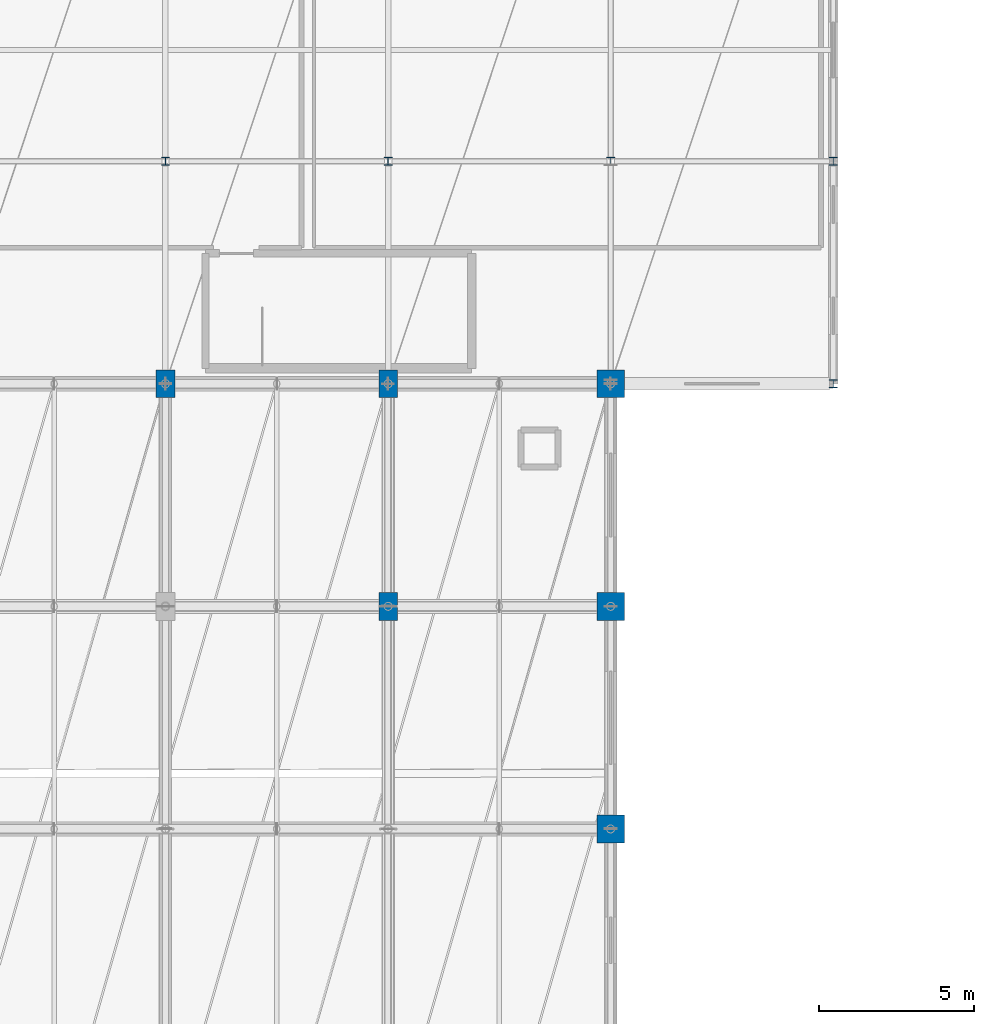
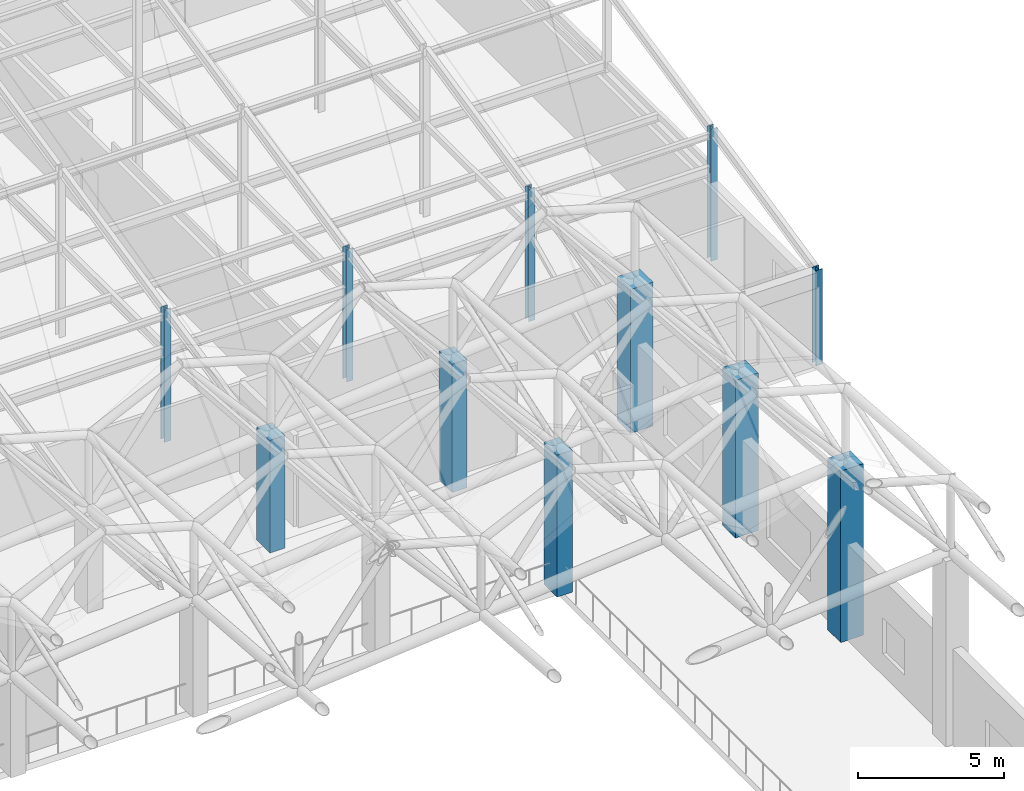
# One storey, part 3 of 113: 11 columns.
"""IFC4 building model written with IfcOpenShell, lengths in metres."""

import ifcopenshell
import ifcopenshell.guid

model = None  # the IFC model being written
_history = None  # IfcOwnerHistory: only IFC2X3 demands one
_inside = {}  # id of a spatial element -> (the spatial element, [elements in it])
_under = {}  # id of a project, library or spatial element -> (it, [spatial elements below it])
_declared = {}  # id of a project -> (the project, [libraries it declares])
_typed = {}  # id of a type object -> (the type object, [elements of that type])
_made_of = {}  # id of a material, layer set ... -> (it, [elements and type objects made of it])


def new_model(schema):
    """Start an empty IFC model of exactly this schema.

    Asked for "IFC4X3", IfcOpenShell would pick the latest addendum, in which some entities
    have other attributes; the version numbers below select the first issue.
    IFC2X3 requires an IfcOwnerHistory on every rooted entity: one is made here for all.
    """
    global model, _history
    if schema == "IFC4X3":
        model = ifcopenshell.file(schema_version=(4, 3, 0, 0))
    else:
        model = ifcopenshell.file(schema=schema)
    _inside.clear()
    _under.clear()
    _declared.clear()
    _typed.clear()
    _made_of.clear()
    _history = None
    if model.schema == "IFC2X3":
        org = make("IfcOrganization", Name="unknown")
        user = make(
            "IfcPersonAndOrganization",
            ThePerson=make("IfcPerson", FamilyName="unknown"),
            TheOrganization=org,
        )
        app = make(
            "IfcApplication",
            ApplicationDeveloper=org,
            Version="unknown",
            ApplicationFullName="unknown",
            ApplicationIdentifier="unknown",
        )
        _history = make(
            "IfcOwnerHistory",
            OwningUser=user,
            OwningApplication=app,
            ChangeAction="ADDED",
            CreationDate=0,
        )
    return model


def make(cls, **values):
    """One entity of the class cls with the attributes given. An attribute that is None is left unset."""
    return model.create_entity(
        cls, **{name: value for name, value in values.items() if value is not None}
    )


def rooted(cls, **values):
    """An entity with a GlobalId (a new one), such as an element, a storey or a relation."""
    return make(cls, GlobalId=ifcopenshell.guid.new(), OwnerHistory=_history, **values)


def si_unit(unit_type, name, prefix=None):
    """IfcSIUnit, for example si_unit("LENGTHUNIT", "METRE", prefix="MILLI")."""
    return make("IfcSIUnit", UnitType=unit_type, Prefix=prefix, Name=name)


def assignment(units):
    """IfcUnitAssignment: the units of a project."""
    return None if units is None else make("IfcUnitAssignment", Units=units)


def point(xyz):
    """IfcCartesianPoint."""
    return None if xyz is None else make("IfcCartesianPoint", Coordinates=xyz)


def direction(xyz):
    """IfcDirection."""
    return None if xyz is None else make("IfcDirection", DirectionRatios=xyz)


def frame(location, z_axis=None, x_axis=None):
    """IfcAxis2Placement3D, a coordinate frame: its origin and axes. An axis left out is left unset."""
    return make(
        "IfcAxis2Placement3D",
        Location=point(location),
        Axis=direction(z_axis),
        RefDirection=direction(x_axis),
    )


def frame_2d(location, x_axis=None):
    """IfcAxis2Placement2D, a coordinate frame in the plane: its origin and x axis."""
    return make(
        "IfcAxis2Placement2D", Location=point(location), RefDirection=direction(x_axis)
    )


def origin():
    """The frame at (0, 0, 0) with its axes left unset."""
    return frame((0.0, 0.0, 0.0))


def origin_2d():
    """The frame at (0, 0) in the plane with its x axis left unset."""
    return frame_2d((0.0, 0.0))


def place(relative_to, where):
    """IfcLocalPlacement: puts the frame where relative to a parent placement (None: the world)."""
    return make(
        "IfcLocalPlacement", PlacementRelTo=relative_to, RelativePlacement=where
    )


def context(
    kind, dimensions, precision=None, world=None, true_north=None, identifier=None
):
    """IfcGeometricRepresentationContext, for example the 3D "Model" context."""
    return make(
        "IfcGeometricRepresentationContext",
        ContextIdentifier=identifier,
        ContextType=kind,
        CoordinateSpaceDimension=dimensions,
        Precision=precision,
        WorldCoordinateSystem=world,
        TrueNorth=true_north,
    )


def subcontext(parent, identifier, kind, view, scale=None):
    """IfcGeometricRepresentationSubContext, for example "Body" below "Model"."""
    return make(
        "IfcGeometricRepresentationSubContext",
        ContextIdentifier=identifier,
        ContextType=kind,
        ParentContext=parent,
        TargetScale=scale,
        TargetView=view,
    )


def project(units=None, contexts=None):
    """IfcProject with its units and contexts."""
    return rooted(
        "IfcProject",
        Name="project",
        RepresentationContexts=contexts,
        UnitsInContext=assignment(units),
    )


def spatial(cls, under=None, at=None, **own):
    """A site, building, storey or space (cls), placed at a placement, below another one or the project."""
    s = rooted(cls, ObjectPlacement=at, **own)
    if under is not None:
        _under.setdefault(under.id(), (under, []))[1].append(s)
    return s


def profile(cls, at=None, kind="AREA", **sizes):
    """A parametric profile (cls). Its sizes go by their IFC names, for example OverallWidth=200.0."""
    return make(cls, ProfileType=kind, Position=at, **sizes)


def rectangle(**sizes):
    """IfcRectangleProfileDef."""
    return profile("IfcRectangleProfileDef", **sizes)


def i_section(**sizes):
    """IfcIShapeProfileDef."""
    return profile("IfcIShapeProfileDef", **sizes)


def extrude(swept, where, along, depth):
    """IfcExtrudedAreaSolid: the profile swept, set in the frame where, extruded along a direction by depth."""
    return make(
        "IfcExtrudedAreaSolid",
        SweptArea=swept,
        Position=where,
        ExtrudedDirection=direction(along),
        Depth=depth,
    )


def shape(context_of_items, identifier, shape_type, items):
    """IfcShapeRepresentation: the items that make up one representation, for example the "Body"."""
    return make(
        "IfcShapeRepresentation",
        ContextOfItems=context_of_items,
        RepresentationIdentifier=identifier,
        RepresentationType=shape_type,
        Items=items,
    )


def material(Name=None, Category=None):
    """IfcMaterial."""
    return make("IfcMaterial", Name=Name, Category=Category)


def material_profile(
    of_material, cross_section, Name=None, Category=None, Priority=None
):
    """IfcMaterialProfile: a cross section and its material."""
    return make(
        "IfcMaterialProfile",
        Name=Name,
        Material=of_material,
        Profile=cross_section,
        Priority=Priority,
        Category=Category,
    )


def profile_set(profiles, Name=None, composite=None):
    """IfcMaterialProfileSet."""
    return make(
        "IfcMaterialProfileSet",
        Name=Name,
        MaterialProfiles=profiles,
        CompositeProfile=composite,
    )


def made_of(thing, what):
    """Note that an element or type object is made of a material, layer set ...; save() writes the relation."""
    if what is not None:
        _made_of.setdefault(what.id(), (what, []))[1].append(thing)
    return thing


def type_object(cls, material=None, **own):
    """A type object (cls), such as IfcWallType, which elements share."""
    return made_of(rooted(cls, **own), material)


def element(
    cls,
    number,
    at=None,
    inside=None,
    cuts=None,
    type_object=None,
    material=None,
    context=None,
    identifier="Body",
    shape_type=None,
    held_by="IfcProductDefinitionShape",
    body=None,
    shapes=None,
    **own,
):
    """One element of the class cls, such as IfcWall. Its Tag is "e" and its number.

    at: its placement. inside: the storey or other place that contains it. cuts: it is an
    opening in that element (IfcRelVoidsElement). A single representation is given by context,
    identifier, shape_type and body (its items); several are given by shapes. held_by: the class
    of the entity that holds the representations. save() writes the other relations.
    """
    e = rooted(cls, Tag="e%d" % number, ObjectPlacement=at, **own)
    if body is not None:
        shapes = [shape(context, identifier, shape_type, body)]
    if shapes is not None:
        e.Representation = make(held_by, Representations=shapes)
    if inside is not None:
        _inside.setdefault(inside.id(), (inside, []))[1].append(e)
    if cuts is not None:
        rooted(
            "IfcRelVoidsElement", RelatingBuildingElement=cuts, RelatedOpeningElement=e
        )
    if type_object is not None:
        _typed.setdefault(type_object.id(), (type_object, []))[1].append(e)
    return made_of(e, material)


def aggregate(whole, parts):
    """IfcRelAggregates: a whole, such as a stair, and the parts it consists of."""
    return rooted("IfcRelAggregates", RelatingObject=whole, RelatedObjects=parts)


def save(model, path):
    """Write the relations noted so far, then the file.

    IfcRelAggregates (storeys below a building ...), IfcRelContainedInSpatialStructure (elements
    in a storey), IfcRelDefinesByType, IfcRelAssociatesMaterial and IfcRelDeclares: one each for
    every whole, place, type object, material and project.
    """
    for whole, parts in _under.values():
        aggregate(whole, parts)
    for where, things in _inside.values():
        rooted(
            "IfcRelContainedInSpatialStructure",
            RelatedElements=things,
            RelatingStructure=where,
        )
    for kind, things in _typed.values():
        rooted("IfcRelDefinesByType", RelatedObjects=things, RelatingType=kind)
    for what, things in _made_of.values():
        rooted("IfcRelAssociatesMaterial", RelatedObjects=things, RelatingMaterial=what)
    for by, libraries in _declared.values():
        rooted("IfcRelDeclares", RelatingContext=by, RelatedDefinitions=libraries)
    model.write(path)


model = new_model("IFC4")

# Units and contexts
model_context = context("Model", 3, precision=1e-05, world=origin(), true_north=direction((0.0, 1.0)))
body_context = subcontext(model_context, "Body", "Model", "MODEL_VIEW")
ifc_project = project(units=[si_unit("LENGTHUNIT", "METRE"), si_unit("AREAUNIT", "SQUARE_METRE"), si_unit("VOLUMEUNIT", "CUBIC_METRE"), si_unit("PLANEANGLEUNIT", "RADIAN"), si_unit("MASSUNIT", "GRAM", prefix="KILO")], contexts=[model_context])

# Site, building, storey
site_placement = place(None, origin())
site = spatial("IfcSite", under=ifc_project, at=site_placement, CompositionType="ELEMENT")
building_placement = place(site_placement, origin())
building = spatial("IfcBuilding", under=site, at=building_placement, Name="Carrowvane Square Congress Hotel", CompositionType="ELEMENT")
storey_placement = place(building_placement, frame((0.0, 0.0, 15.0)))
storey = spatial("IfcBuildingStorey", under=building, at=storey_placement, Name="L03", CompositionType="ELEMENT", Elevation=15.0)

# Columns
ifc_material_1 = material(Name="Concrete C40/50", Category="concrete")
ifc_material_profile_1 = material_profile(ifc_material_1, rectangle(XDim=0.60009765625, YDim=0.89990234375, at=origin_2d()), Name="RC 600x900")
ifc_profile_set_1 = profile_set([ifc_material_profile_1], Name="Concrete C40/50")
column_type_1 = type_object("IfcColumnType", Name="COL-RC-600x900", PredefinedType="COLUMN", material=ifc_profile_set_1)
column_1_placement = place(storey_placement, frame((47.60009765625, 55.800048828125, 0.0), z_axis=(0.0, 0.0, 1.0), x_axis=(1.0, 0.0, 0.0)))
element("IfcColumn", 1, at=column_1_placement, inside=storey, type_object=column_type_1, Name="L03 column 6/H", PredefinedType="COLUMN", context=body_context, shape_type="SweptSolid", body=[
    extrude(rectangle(XDim=0.60009765625, YDim=0.89990234375, at=origin_2d()), origin(), (0.0, 0.0, 1.0), 4.705810546875),
])
column_2_placement = place(storey_placement, frame((54.800048828125, 48.60009765625, 0.0), z_axis=(0.0, 0.0, 1.0), x_axis=(1.0, 0.0, 0.0)))
element("IfcColumn", 2, at=column_2_placement, inside=storey, type_object=column_type_1, Name="L03 column 7/G", PredefinedType="COLUMN", context=body_context, shape_type="SweptSolid", body=[
    extrude(rectangle(XDim=0.60009765625, YDim=0.89990234375, at=origin_2d()), origin(), (0.0, 0.0, 1.0), 5.934326171875),
])
column_3_placement = place(storey_placement, frame((54.800048828125, 55.800048828125, 0.0), z_axis=(0.0, 0.0, 1.0), x_axis=(1.0, 0.0, 0.0)))
element("IfcColumn", 3, at=column_3_placement, inside=storey, type_object=column_type_1, Name="L03 column 7/H", PredefinedType="COLUMN", context=body_context, shape_type="SweptSolid", body=[
    extrude(rectangle(XDim=0.60009765625, YDim=0.89990234375, at=origin_2d()), origin(), (0.0, 0.0, 1.0), 5.36279296875),
])
ifc_material_2 = material(Name="Steel S355", Category="steel")
ifc_material_profile_2 = material_profile(ifc_material_2, i_section(OverallWidth=0.25634765625, OverallDepth=0.26025390625, WebThickness=0.01025390625, FlangeThickness=0.017333984375, FilletRadius=0.0126953125, at=origin_2d()), Name="UKC 254x254x89")
ifc_profile_set_2 = profile_set([ifc_material_profile_2], Name="Steel S355")
column_type_2 = type_object("IfcColumnType", Name="COL-ST-UKC254", PredefinedType="COLUMN", material=ifc_profile_set_2)
for number, where, z_axis, x_axis, name in (
    (4, (47.60009765625, 63.0, 0.0), (0.0, 0.0, 1.0), (1.0, 0.0, 0.0), "L03 column 6/J"),
    (5, (54.800048828125, 63.0, 0.0), (0.0, 0.0, 1.0), (1.0, 0.0, 0.0), "L03 column 7/J"),
    (6, (62.0, 63.0, 0.0), (0.0, 0.0, 1.0), (1.0, 0.0, 0.0), "L03 column 8/J"),
):
    element("IfcColumn", number, at=place(storey_placement, frame(where, z_axis=z_axis, x_axis=x_axis)), inside=storey, type_object=column_type_2, Name=name, PredefinedType="COLUMN", context=body_context, shape_type="SweptSolid", body=[
        extrude(i_section(OverallWidth=0.25634765625, OverallDepth=0.26025390625, WebThickness=0.01025390625, FlangeThickness=0.017333984375, FilletRadius=0.0126953125, at=origin_2d()), origin(), (0.0, 0.0, 1.0), 5.510498046875),
    ])
column_4_placement = place(storey_placement, frame((69.199951171875, 55.800048828125, 0.0), z_axis=(0.0, 0.0, 1.0), x_axis=(1.0, 0.0, 0.0)))
element("IfcColumn", 7, at=column_4_placement, inside=storey, type_object=column_type_2, Name="L03 column 9/H", PredefinedType="COLUMN", context=body_context, shape_type="SweptSolid", body=[
    extrude(i_section(OverallWidth=0.25634765625, OverallDepth=0.26025390625, WebThickness=0.01025390625, FlangeThickness=0.017333984375, FilletRadius=0.0126953125, at=origin_2d()), origin(), (0.0, 0.0, 1.0), 3.97998046875),
])
column_5_placement = place(storey_placement, frame((69.199951171875, 63.0, 0.0), z_axis=(0.0, 0.0, 1.0), x_axis=(1.0, 0.0, 0.0)))
element("IfcColumn", 8, at=column_5_placement, inside=storey, type_object=column_type_2, Name="L03 column 9/J", PredefinedType="COLUMN", context=body_context, shape_type="SweptSolid", body=[
    extrude(i_section(OverallWidth=0.25634765625, OverallDepth=0.26025390625, WebThickness=0.01025390625, FlangeThickness=0.017333984375, FilletRadius=0.0126953125, at=origin_2d()), origin(), (0.0, 0.0, 1.0), 5.510498046875),
])
ifc_material_3 = material(Name="Concrete C40/50", Category="concrete")
ifc_material_profile_3 = material_profile(ifc_material_3, rectangle(XDim=0.89990234375, YDim=0.89990234375, at=origin_2d()), Name="RC 900x900")
ifc_profile_set_3 = profile_set([ifc_material_profile_3], Name="Concrete C40/50")
column_type_3 = type_object("IfcColumnType", Name="MCOL-RC-900", PredefinedType="COLUMN", material=ifc_profile_set_3)
column_6_placement = place(storey_placement, frame((62.0, 41.39990234375, 0.0), z_axis=(0.0, 0.0, 1.0), x_axis=(1.0, 0.0, 0.0)))
element("IfcColumn", 9, at=column_6_placement, inside=storey, type_object=column_type_3, Name="L03 column 8/F", PredefinedType="COLUMN", context=body_context, shape_type="SweptSolid", body=[
    extrude(rectangle(XDim=0.89990234375, YDim=0.89990234375, at=origin_2d()), origin(), (0.0, 0.0, 1.0), 7.162841796875),
])
column_7_placement = place(storey_placement, frame((62.0, 48.60009765625, 0.0), z_axis=(0.0, 0.0, 1.0), x_axis=(1.0, 0.0, 0.0)))
element("IfcColumn", 10, at=column_7_placement, inside=storey, type_object=column_type_3, Name="L03 column 8/G", PredefinedType="COLUMN", context=body_context, shape_type="SweptSolid", body=[
    extrude(rectangle(XDim=0.89990234375, YDim=0.89990234375, at=origin_2d()), origin(), (0.0, 0.0, 1.0), 6.59130859375),
])
column_8_placement = place(storey_placement, frame((62.0, 55.800048828125, 0.0), z_axis=(0.0, 0.0, 1.0), x_axis=(1.0, 0.0, 0.0)))
element("IfcColumn", 11, at=column_8_placement, inside=storey, type_object=column_type_3, Name="L03 column 8/H", PredefinedType="COLUMN", context=body_context, shape_type="SweptSolid", body=[
    extrude(rectangle(XDim=0.89990234375, YDim=0.89990234375, at=origin_2d()), origin(), (0.0, 0.0, 1.0), 6.02001953125),
])

save(model, "model.ifc")
